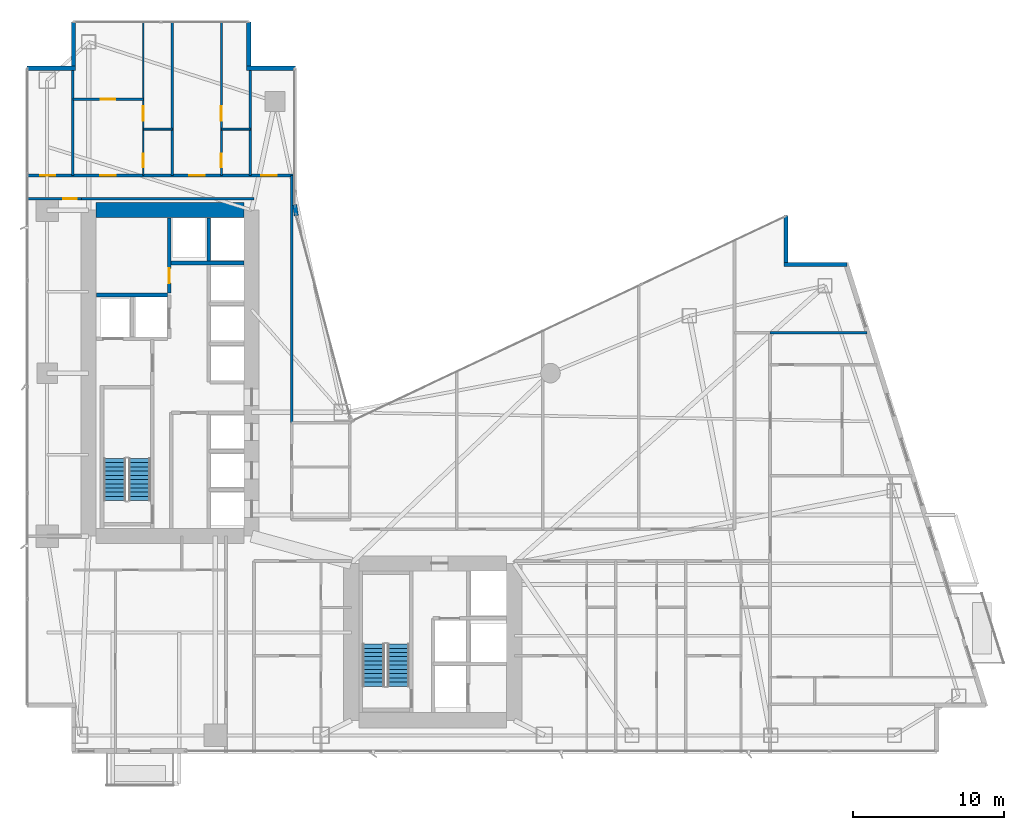
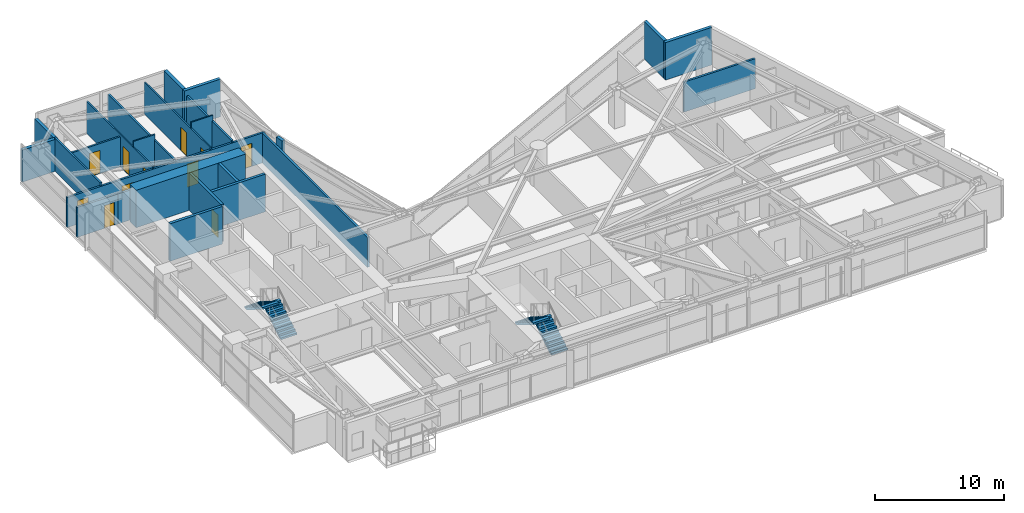
# One storey, part 25 of 30: 25 walls, 11 doors, 4 stair flights, 11 openings, 2 elements without a shape of their own.
"""IFC4 building model written with IfcOpenShell, lengths in metres."""

import ifcopenshell
import ifcopenshell.guid

model = None  # the IFC model being written
_history = None  # IfcOwnerHistory: only IFC2X3 demands one
_inside = {}  # id of a spatial element -> (the spatial element, [elements in it])
_under = {}  # id of a project, library or spatial element -> (it, [spatial elements below it])
_declared = {}  # id of a project -> (the project, [libraries it declares])
_typed = {}  # id of a type object -> (the type object, [elements of that type])
_made_of = {}  # id of a material, layer set ... -> (it, [elements and type objects made of it])


def new_model(schema):
    """Start an empty IFC model of exactly this schema.

    Asked for "IFC4X3", IfcOpenShell would pick the latest addendum, in which some entities
    have other attributes; the version numbers below select the first issue.
    IFC2X3 requires an IfcOwnerHistory on every rooted entity: one is made here for all.
    """
    global model, _history
    if schema == "IFC4X3":
        model = ifcopenshell.file(schema_version=(4, 3, 0, 0))
    else:
        model = ifcopenshell.file(schema=schema)
    _inside.clear()
    _under.clear()
    _declared.clear()
    _typed.clear()
    _made_of.clear()
    _history = None
    if model.schema == "IFC2X3":
        org = make("IfcOrganization", Name="unknown")
        user = make(
            "IfcPersonAndOrganization",
            ThePerson=make("IfcPerson", FamilyName="unknown"),
            TheOrganization=org,
        )
        app = make(
            "IfcApplication",
            ApplicationDeveloper=org,
            Version="unknown",
            ApplicationFullName="unknown",
            ApplicationIdentifier="unknown",
        )
        _history = make(
            "IfcOwnerHistory",
            OwningUser=user,
            OwningApplication=app,
            ChangeAction="ADDED",
            CreationDate=0,
        )
    return model


def make(cls, **values):
    """One entity of the class cls with the attributes given. An attribute that is None is left unset."""
    return model.create_entity(
        cls, **{name: value for name, value in values.items() if value is not None}
    )


def rooted(cls, **values):
    """An entity with a GlobalId (a new one), such as an element, a storey or a relation."""
    return make(cls, GlobalId=ifcopenshell.guid.new(), OwnerHistory=_history, **values)


def si_unit(unit_type, name, prefix=None):
    """IfcSIUnit, for example si_unit("LENGTHUNIT", "METRE", prefix="MILLI")."""
    return make("IfcSIUnit", UnitType=unit_type, Prefix=prefix, Name=name)


def assignment(units):
    """IfcUnitAssignment: the units of a project."""
    return None if units is None else make("IfcUnitAssignment", Units=units)


def point(xyz):
    """IfcCartesianPoint."""
    return None if xyz is None else make("IfcCartesianPoint", Coordinates=xyz)


def direction(xyz):
    """IfcDirection."""
    return None if xyz is None else make("IfcDirection", DirectionRatios=xyz)


def frame(location, z_axis=None, x_axis=None):
    """IfcAxis2Placement3D, a coordinate frame: its origin and axes. An axis left out is left unset."""
    return make(
        "IfcAxis2Placement3D",
        Location=point(location),
        Axis=direction(z_axis),
        RefDirection=direction(x_axis),
    )


def frame_2d(location, x_axis=None):
    """IfcAxis2Placement2D, a coordinate frame in the plane: its origin and x axis."""
    return make(
        "IfcAxis2Placement2D", Location=point(location), RefDirection=direction(x_axis)
    )


def origin():
    """The frame at (0, 0, 0) with its axes left unset."""
    return frame((0.0, 0.0, 0.0))


def place(relative_to, where):
    """IfcLocalPlacement: puts the frame where relative to a parent placement (None: the world)."""
    return make(
        "IfcLocalPlacement", PlacementRelTo=relative_to, RelativePlacement=where
    )


def context(
    kind, dimensions, precision=None, world=None, true_north=None, identifier=None
):
    """IfcGeometricRepresentationContext, for example the 3D "Model" context."""
    return make(
        "IfcGeometricRepresentationContext",
        ContextIdentifier=identifier,
        ContextType=kind,
        CoordinateSpaceDimension=dimensions,
        Precision=precision,
        WorldCoordinateSystem=world,
        TrueNorth=true_north,
    )


def subcontext(parent, identifier, kind, view, scale=None):
    """IfcGeometricRepresentationSubContext, for example "Body" below "Model"."""
    return make(
        "IfcGeometricRepresentationSubContext",
        ContextIdentifier=identifier,
        ContextType=kind,
        ParentContext=parent,
        TargetScale=scale,
        TargetView=view,
    )


def project(units=None, contexts=None):
    """IfcProject with its units and contexts."""
    return rooted(
        "IfcProject",
        Name="project",
        RepresentationContexts=contexts,
        UnitsInContext=assignment(units),
    )


def spatial(cls, under=None, at=None, **own):
    """A site, building, storey or space (cls), placed at a placement, below another one or the project."""
    s = rooted(cls, ObjectPlacement=at, **own)
    if under is not None:
        _under.setdefault(under.id(), (under, []))[1].append(s)
    return s


def polyline(points):
    """IfcPolyline through the points."""
    return make("IfcPolyline", Points=[point(p) for p in points])


def profile(cls, at=None, kind="AREA", **sizes):
    """A parametric profile (cls). Its sizes go by their IFC names, for example OverallWidth=200.0."""
    return make(cls, ProfileType=kind, Position=at, **sizes)


def rectangle(**sizes):
    """IfcRectangleProfileDef."""
    return profile("IfcRectangleProfileDef", **sizes)


def outline(outer, holes=None, kind="AREA"):
    """IfcArbitraryClosedProfileDef: a profile drawn as a closed curve; with holes, ...WithVoids."""
    if holes is None:
        return make("IfcArbitraryClosedProfileDef", ProfileType=kind, OuterCurve=outer)
    return make(
        "IfcArbitraryProfileDefWithVoids",
        ProfileType=kind,
        OuterCurve=outer,
        InnerCurves=holes,
    )


def extrude(swept, where, along, depth):
    """IfcExtrudedAreaSolid: the profile swept, set in the frame where, extruded along a direction by depth."""
    return make(
        "IfcExtrudedAreaSolid",
        SweptArea=swept,
        Position=where,
        ExtrudedDirection=direction(along),
        Depth=depth,
    )


def shape(context_of_items, identifier, shape_type, items):
    """IfcShapeRepresentation: the items that make up one representation, for example the "Body"."""
    return make(
        "IfcShapeRepresentation",
        ContextOfItems=context_of_items,
        RepresentationIdentifier=identifier,
        RepresentationType=shape_type,
        Items=items,
    )


def material(Name=None, Category=None):
    """IfcMaterial."""
    return make("IfcMaterial", Name=Name, Category=Category)


def layer(
    of_material, thickness, ventilated=None, Name=None, Category=None, Priority=None
):
    """IfcMaterialLayer: one layer of a wall or slab, of a material (None: an air gap)."""
    return make(
        "IfcMaterialLayer",
        Material=of_material,
        LayerThickness=thickness,
        IsVentilated=ventilated,
        Name=Name,
        Category=Category,
        Priority=Priority,
    )


def layer_set(layers, Name=None):
    """IfcMaterialLayerSet."""
    return make("IfcMaterialLayerSet", MaterialLayers=layers, LayerSetName=Name)


def made_of(thing, what):
    """Note that an element or type object is made of a material, layer set ...; save() writes the relation."""
    if what is not None:
        _made_of.setdefault(what.id(), (what, []))[1].append(thing)
    return thing


def type_object(cls, material=None, **own):
    """A type object (cls), such as IfcWallType, which elements share."""
    return made_of(rooted(cls, **own), material)


def element(
    cls,
    number,
    at=None,
    inside=None,
    cuts=None,
    type_object=None,
    material=None,
    context=None,
    identifier="Body",
    shape_type=None,
    held_by="IfcProductDefinitionShape",
    body=None,
    shapes=None,
    **own,
):
    """One element of the class cls, such as IfcWall. Its Tag is "e" and its number.

    at: its placement. inside: the storey or other place that contains it. cuts: it is an
    opening in that element (IfcRelVoidsElement). A single representation is given by context,
    identifier, shape_type and body (its items); several are given by shapes. held_by: the class
    of the entity that holds the representations. save() writes the other relations.
    """
    e = rooted(cls, Tag="e%d" % number, ObjectPlacement=at, **own)
    if body is not None:
        shapes = [shape(context, identifier, shape_type, body)]
    if shapes is not None:
        e.Representation = make(held_by, Representations=shapes)
    if inside is not None:
        _inside.setdefault(inside.id(), (inside, []))[1].append(e)
    if cuts is not None:
        rooted(
            "IfcRelVoidsElement", RelatingBuildingElement=cuts, RelatedOpeningElement=e
        )
    if type_object is not None:
        _typed.setdefault(type_object.id(), (type_object, []))[1].append(e)
    return made_of(e, material)


def fill(opening, filler):
    """IfcRelFillsElement: the door or window that sits in an opening."""
    return rooted(
        "IfcRelFillsElement",
        RelatingOpeningElement=opening,
        RelatedBuildingElement=filler,
    )


def aggregate(whole, parts):
    """IfcRelAggregates: a whole, such as a stair, and the parts it consists of."""
    return rooted("IfcRelAggregates", RelatingObject=whole, RelatedObjects=parts)


def save(model, path):
    """Write the relations noted so far, then the file.

    IfcRelAggregates (storeys below a building ...), IfcRelContainedInSpatialStructure (elements
    in a storey), IfcRelDefinesByType, IfcRelAssociatesMaterial and IfcRelDeclares: one each for
    every whole, place, type object, material and project.
    """
    for whole, parts in _under.values():
        aggregate(whole, parts)
    for where, things in _inside.values():
        rooted(
            "IfcRelContainedInSpatialStructure",
            RelatedElements=things,
            RelatingStructure=where,
        )
    for kind, things in _typed.values():
        rooted("IfcRelDefinesByType", RelatedObjects=things, RelatingType=kind)
    for what, things in _made_of.values():
        rooted("IfcRelAssociatesMaterial", RelatedObjects=things, RelatingMaterial=what)
    for by, libraries in _declared.values():
        rooted("IfcRelDeclares", RelatingContext=by, RelatedDefinitions=libraries)
    model.write(path)


model = new_model("IFC4")

# Units and contexts
model_context = context("Model", 3, precision=1e-05, world=origin(), true_north=direction((0.0, 1.0)))
body_context = subcontext(model_context, "Body", "Model", "MODEL_VIEW")
ifc_project = project(units=[si_unit("LENGTHUNIT", "METRE"), si_unit("AREAUNIT", "SQUARE_METRE"), si_unit("VOLUMEUNIT", "CUBIC_METRE"), si_unit("PLANEANGLEUNIT", "RADIAN"), si_unit("MASSUNIT", "GRAM", prefix="KILO")], contexts=[model_context])

# Site, building, storey
site_placement = place(None, origin())
site = spatial("IfcSite", under=ifc_project, at=site_placement, CompositionType="ELEMENT")
building_placement = place(site_placement, origin())
building = spatial("IfcBuilding", under=site, at=building_placement, Name="Calvorn Quay Hotel", CompositionType="ELEMENT")
storey_placement = place(building_placement, frame((0.0, 0.0, 54.60009765625)))
storey = spatial("IfcBuildingStorey", under=building, at=storey_placement, Name="L12", CompositionType="ELEMENT", Elevation=54.60009765625)

# Wall
ifc_material_1 = material(Name="Concrete C60", Category="concrete")
ifc_layer_1 = layer(ifc_material_1, 1.0)
ifc_layer_set_1 = layer_set([ifc_layer_1], Name="WL-CORE-1000")
wall_type_1 = type_object("IfcWallType", Name="WL-CORE-1000", PredefinedType="SHEAR", material=ifc_layer_set_1)
wall_1_placement = place(storey_placement, frame((4.699951171875, 38.39990234375, 0.0), z_axis=(0.0, 0.0, 1.0), x_axis=(1.0, 0.0, 0.0)))
element("IfcWall", 1, at=wall_1_placement, inside=storey, type_object=wall_type_1, Name="West Core Shear Wall N (L12)", PredefinedType="SHEAR", context=body_context, shape_type="SweptSolid", body=[
    extrude(rectangle(XDim=9.800048828125, YDim=1.0, at=frame_2d((4.89990234375, 0.0))), origin(), (0.0, 0.0, 1.0), 3.559814453125),
])

# Wall, opening, door
ifc_material_2 = material(Name="Acoustic Fireboard Steel-Stud Partition", Category="steel")
ifc_layer_2 = layer(ifc_material_2, 0.179931640625)
ifc_layer_set_2 = layer_set([ifc_layer_2], Name="WL-CORR-FIRE-180")
wall_type_2 = type_object("IfcWallType", Name="WL-CORR-FIRE-180", PredefinedType="PARTITIONING", material=ifc_layer_set_2)
wall_2_placement = place(storey_placement, frame((0.080078125, 39.14990234375, 0.0), z_axis=(0.0, 0.0, 1.0), x_axis=(1.0, 0.0, 0.0)))
wall_2 = element("IfcWall", 2, at=wall_2_placement, inside=storey, type_object=wall_type_2, Name="Partition Wall L12-WL-WBAY-N-DOOR", PredefinedType="PARTITIONING", context=body_context, shape_type="SweptSolid", body=[
    extrude(rectangle(XDim=3.64990234375, YDim=0.179931640625, at=frame_2d((1.824951171875, 0.0))), origin(), (0.0, 0.0, 1.0), 2.83984375),
])
opening_1_placement = place(wall_2_placement, frame((2.429931640625, 0.0, 0.0)))
opening_1 = element("IfcOpeningElement", 3, at=opening_1_placement, cuts=wall_2, Name="Opening D-L12-WBN", PredefinedType="OPENING", context=body_context, shape_type="SweptSolid", body=[
    extrude(rectangle(XDim=0.89990234375, YDim=2.14990234375, at=frame_2d((0.449951171875, 1.074951171875))), frame((0.0, 0.099853515625, 0.0), z_axis=(0.0, -1.0, 0.0), x_axis=(1.0, 0.0, 0.0)), (0.0, 0.0, 1.0), 0.199951171875),
])
ifc_material_3 = material(Name="Moisture-Sealed Timber En-Suite Door", Category="wood")
door_type_1 = type_object("IfcDoorType", Name="DR-ENSUITE-900", OperationType="NOTDEFINED", PredefinedType="DOOR", material=ifc_material_3)
door_1_placement = place(opening_1_placement, origin())
door_1 = element("IfcDoor", 4, at=door_1_placement, inside=storey, type_object=door_type_1, Name="West North Bay Door (L12)", OperationType="SINGLE_SWING_LEFT", OverallHeight=2.14990234375, OverallWidth=0.89990234375, PredefinedType="DOOR", context=body_context, shape_type="SweptSolid", body=[
    extrude(rectangle(XDim=0.89990234375, YDim=2.14990234375, at=frame_2d((0.449951171875, 1.074951171875))), frame((0.0, 0.02490234375, 0.0), z_axis=(0.0, -1.0, 0.0), x_axis=(1.0, 0.0, 0.0)), (0.0, 0.0, 1.0), 0.050048828125),
])
fill(opening_1, door_1)

# Wall, openings, doors
wall_3_placement = place(storey_placement, frame((0.080078125, 40.699951171875, 0.0), z_axis=(0.0, 0.0, 1.0), x_axis=(1.0, 0.0, 0.0)))
wall_3 = element("IfcWall", 5, at=wall_3_placement, inside=storey, type_object=wall_type_2, Name="Partition Wall L12-WL-CORR-NW-N", PredefinedType="PARTITIONING", context=body_context, shape_type="SweptSolid", body=[
    extrude(rectangle(XDim=17.77001953125, YDim=0.179931640625, at=frame_2d((8.885009765625, 0.0))), origin(), (0.0, 0.0, 1.0), 2.83984375),
])
opening_2_placement = place(wall_3_placement, frame((0.89990234375, 0.0, 0.0)))
opening_2 = element("IfcOpeningElement", 6, at=opening_2_placement, cuts=wall_3, Name="Opening D-L12-NWW", PredefinedType="OPENING", context=body_context, shape_type="SweptSolid", body=[
    extrude(rectangle(XDim=1.02001953125, YDim=2.199951171875, at=frame_2d((0.510009765625, 1.10009765625))), frame((0.0, 0.099853515625, 0.0), z_axis=(0.0, -1.0, 0.0), x_axis=(1.0, 0.0, 0.0)), (0.0, 0.0, 1.0), 0.199951171875),
])
opening_3_placement = place(wall_3_placement, frame((4.89990234375, 0.0, 0.0)))
opening_3 = element("IfcOpeningElement", 7, at=opening_3_placement, cuts=wall_3, Name="Opening D-L12-U03", PredefinedType="OPENING", context=body_context, shape_type="SweptSolid", body=[
    extrude(rectangle(XDim=1.02001953125, YDim=2.199951171875, at=frame_2d((0.510009765625, 1.10009765625))), frame((0.0, 0.099853515625, 0.0), z_axis=(0.0, -1.0, 0.0), x_axis=(1.0, 0.0, 0.0)), (0.0, 0.0, 1.0), 0.199951171875),
])
opening_4_placement = place(wall_3_placement, frame((10.780029296875, 0.0, 0.0)))
opening_4 = element("IfcOpeningElement", 8, at=opening_4_placement, cuts=wall_3, Name="Opening D-L12-U04", PredefinedType="OPENING", context=body_context, shape_type="SweptSolid", body=[
    extrude(rectangle(XDim=1.02001953125, YDim=2.199951171875, at=frame_2d((0.510009765625, 1.10009765625))), frame((0.0, 0.099853515625, 0.0), z_axis=(0.0, -1.0, 0.0), x_axis=(1.0, 0.0, 0.0)), (0.0, 0.0, 1.0), 0.199951171875),
])
opening_5_placement = place(wall_3_placement, frame((15.550048828125, 0.0, 0.0)))
opening_5 = element("IfcOpeningElement", 9, at=opening_5_placement, cuts=wall_3, Name="Opening D-L12-NWE", PredefinedType="OPENING", context=body_context, shape_type="SweptSolid", body=[
    extrude(rectangle(XDim=1.02001953125, YDim=2.199951171875, at=frame_2d((0.510009765625, 1.10009765625))), frame((0.0, 0.099853515625, 0.0), z_axis=(0.0, -1.0, 0.0), x_axis=(1.0, 0.0, 0.0)), (0.0, 0.0, 1.0), 0.199951171875),
])
ifc_material_4 = material(Name="Solid-Core Walnut Veneer Hotel Fire Door")
door_type_2 = type_object("IfcDoorType", Name="DR-GUEST-ENTRY-1020", OperationType="NOTDEFINED", PredefinedType="DOOR", material=ifc_material_4)
door_2_placement = place(opening_2_placement, origin())
door_2 = element("IfcDoor", 10, at=door_2_placement, inside=storey, type_object=door_type_2, Name="West Corner Study Door (L12)", OperationType="SINGLE_SWING_LEFT", OverallHeight=2.199951171875, OverallWidth=1.02001953125, PredefinedType="DOOR", context=body_context, shape_type="SweptSolid", body=[
    extrude(rectangle(XDim=1.02001953125, YDim=2.199951171875, at=frame_2d((0.510009765625, 1.10009765625))), frame((0.0, 0.02490234375, 0.0), z_axis=(0.0, -1.0, 0.0), x_axis=(1.0, 0.0, 0.0)), (0.0, 0.0, 1.0), 0.050048828125),
])
fill(opening_2, door_2)
door_3_placement = place(opening_3_placement, origin())
door_3 = element("IfcDoor", 11, at=door_3_placement, inside=storey, type_object=door_type_2, Name="North-West Unit Door U03 (L12)", OperationType="SINGLE_SWING_RIGHT", OverallHeight=2.199951171875, OverallWidth=1.02001953125, PredefinedType="DOOR", context=body_context, shape_type="SweptSolid", body=[
    extrude(rectangle(XDim=1.02001953125, YDim=2.199951171875, at=frame_2d((0.510009765625, 1.10009765625))), frame((0.0, 0.02490234375, 0.0), z_axis=(0.0, -1.0, 0.0), x_axis=(1.0, 0.0, 0.0)), (0.0, 0.0, 1.0), 0.050048828125),
])
fill(opening_3, door_3)
door_4_placement = place(opening_4_placement, origin())
door_4 = element("IfcDoor", 12, at=door_4_placement, inside=storey, type_object=door_type_2, Name="North-West Unit Door U04 (L12)", OperationType="SINGLE_SWING_LEFT", OverallHeight=2.199951171875, OverallWidth=1.02001953125, PredefinedType="DOOR", context=body_context, shape_type="SweptSolid", body=[
    extrude(rectangle(XDim=1.02001953125, YDim=2.199951171875, at=frame_2d((0.510009765625, 1.10009765625))), frame((0.0, 0.02490234375, 0.0), z_axis=(0.0, -1.0, 0.0), x_axis=(1.0, 0.0, 0.0)), (0.0, 0.0, 1.0), 0.050048828125),
])
fill(opening_4, door_4)
door_5_placement = place(opening_5_placement, origin())
door_5 = element("IfcDoor", 13, at=door_5_placement, inside=storey, type_object=door_type_2, Name="Inner Court Study Door (L12)", OperationType="SINGLE_SWING_RIGHT", OverallHeight=2.199951171875, OverallWidth=1.02001953125, PredefinedType="DOOR", context=body_context, shape_type="SweptSolid", body=[
    extrude(rectangle(XDim=1.02001953125, YDim=2.199951171875, at=frame_2d((0.510009765625, 1.10009765625))), frame((0.0, 0.02490234375, 0.0), z_axis=(0.0, -1.0, 0.0), x_axis=(1.0, 0.0, 0.0)), (0.0, 0.0, 1.0), 0.050048828125),
])
fill(opening_5, door_5)

# Walls
wall_4_placement = place(storey_placement, frame((17.64990234375, 24.300048828125, 0.0), z_axis=(0.0, 0.0, 1.0), x_axis=(0.0, 1.0, 0.0)))
element("IfcWall", 14, at=wall_4_placement, inside=storey, type_object=wall_type_2, Name="Partition Wall L12-WL-NW-CLOSURE-E", PredefinedType="PARTITIONING", context=body_context, shape_type="SweptSolid", body=[
    extrude(rectangle(XDim=16.39990234375, YDim=0.179931640625, at=frame_2d((8.199951171875, 0.0))), origin(), (0.0, 0.0, 1.0), 2.83984375),
])
wall_5_placement = place(storey_placement, frame((3.679931640625, 39.14990234375, 0.0), z_axis=(0.0, 0.0, 1.0), x_axis=(1.0, 0.0, 0.0)))
element("IfcWall", 15, at=wall_5_placement, inside=storey, type_object=wall_type_2, Name="Partition Wall L12-WL-W-SPUR-S", PredefinedType="PARTITIONING", context=body_context, shape_type="SweptSolid", body=[
    extrude(rectangle(XDim=11.469970703125, YDim=0.179931640625, at=frame_2d((5.73486328125, 0.0))), origin(), (0.0, 0.0, 1.0), 2.83984375),
])
wall_6_placement = place(storey_placement, frame((49.35009765625, 30.280029296875, 0.0), z_axis=(0.0, 0.0, 1.0), x_axis=(1.0, 0.0, 0.0)))
element("IfcWall", 16, at=wall_6_placement, inside=storey, type_object=wall_type_2, Name="Partition Wall L12-WL-TIP-N", PredefinedType="PARTITIONING", context=body_context, shape_type="SweptSolid", body=[
    extrude(rectangle(XDim=6.409912109375, YDim=0.179931640625, at=frame_2d((3.205078125, 0.0))), origin(), (0.0, 0.0, 1.0), 2.83984375),
])
ifc_material_5 = material(Name="Moisture-Resistant Tile-Backed Partition")
ifc_layer_3 = layer(ifc_material_5, 0.125)
ifc_layer_set_3 = layer_set([ifc_layer_3], Name="WL-ENSUITE-125")
wall_type_3 = type_object("IfcWallType", Name="WL-ENSUITE-125", PredefinedType="PARTITIONING", material=ifc_layer_set_3)
wall_7_placement = place(storey_placement, frame((7.820068359375, 43.77001953125, 0.0), z_axis=(0.0, 0.0, 1.0), x_axis=(1.0, 0.0, 0.0)))
element("IfcWall", 17, at=wall_7_placement, inside=storey, type_object=wall_type_3, Name="Partition Wall L12-WL-U03-BDV", PredefinedType="PARTITIONING", context=body_context, shape_type="SweptSolid", body=[
    extrude(rectangle(XDim=1.929931640625, YDim=0.125, at=frame_2d((0.96484375, 0.0))), origin(), (0.0, 0.0, 1.0), 3.559814453125),
])

# Wall, openings, doors
wall_8_placement = place(storey_placement, frame((7.820068359375, 40.699951171875, 0.0), z_axis=(0.0, 0.0, 1.0), x_axis=(0.0, 1.0, 0.0)))
wall_8 = element("IfcWall", 18, at=wall_8_placement, inside=storey, type_object=wall_type_3, Name="Partition Wall L12-WL-U03-BV", PredefinedType="PARTITIONING", context=body_context, shape_type="SweptSolid", body=[
    extrude(rectangle(XDim=10.239990234375, YDim=0.125, at=frame_2d((5.1201171875, 0.0))), origin(), (0.0, 0.0, 1.0), 3.039794921875),
])
opening_6_placement = place(wall_8_placement, frame((0.550048828125, 0.0, 0.0)))
opening_6 = element("IfcOpeningElement", 19, at=opening_6_placement, cuts=wall_8, Name="Opening D-L12-E03", PredefinedType="OPENING", context=body_context, shape_type="SweptSolid", body=[
    extrude(rectangle(XDim=0.89990234375, YDim=2.14990234375, at=frame_2d((0.449951171875, 1.074951171875))), frame((0.0, 0.072509765625, 0.0), z_axis=(0.0, -1.0, 0.0), x_axis=(1.0, 0.0, 0.0)), (0.0, 0.0, 1.0), 0.14501953125),
])
opening_7_placement = place(wall_8_placement, frame((3.6201171875, 0.0, 0.0)))
opening_7 = element("IfcOpeningElement", 20, at=opening_7_placement, cuts=wall_8, Name="Opening D-L12-S03", PredefinedType="OPENING", context=body_context, shape_type="SweptSolid", body=[
    extrude(rectangle(XDim=0.9599609375, YDim=2.199951171875, at=frame_2d((0.47998046875, 1.10009765625))), frame((0.0, 0.072509765625, 0.0), z_axis=(0.0, -1.0, 0.0), x_axis=(1.0, 0.0, 0.0)), (0.0, 0.0, 1.0), 0.14501953125),
])
door_6_placement = place(opening_6_placement, origin())
door_6 = element("IfcDoor", 21, at=door_6_placement, inside=storey, type_object=door_type_1, Name="En-Suite Door 03", OperationType="SINGLE_SWING_LEFT", OverallHeight=2.14990234375, OverallWidth=0.89990234375, PredefinedType="DOOR", context=body_context, shape_type="SweptSolid", body=[
    extrude(rectangle(XDim=0.89990234375, YDim=2.14990234375, at=frame_2d((0.449951171875, 1.074951171875))), frame((0.0, 0.02490234375, 0.0), z_axis=(0.0, -1.0, 0.0), x_axis=(1.0, 0.0, 0.0)), (0.0, 0.0, 1.0), 0.050048828125),
])
fill(opening_6, door_6)
ifc_material_6 = material(Name="Solid Timber Internal Suite Door", Category="wood")
door_type_3 = type_object("IfcDoorType", Name="DR-SUITE-INT-960", OperationType="NOTDEFINED", PredefinedType="DOOR", material=ifc_material_6)
door_7_placement = place(opening_7_placement, origin())
door_7 = element("IfcDoor", 22, at=door_7_placement, inside=storey, type_object=door_type_3, Name="Executive Work Office Door 03", OperationType="SINGLE_SWING_RIGHT", OverallHeight=2.199951171875, OverallWidth=0.9599609375, PredefinedType="DOOR", context=body_context, shape_type="SweptSolid", body=[
    extrude(rectangle(XDim=0.9599609375, YDim=2.199951171875, at=frame_2d((0.47998046875, 1.10009765625))), frame((0.0, 0.02490234375, 0.0), z_axis=(0.0, -1.0, 0.0), x_axis=(1.0, 0.0, 0.0)), (0.0, 0.0, 1.0), 0.050048828125),
])
fill(opening_7, door_7)

# Wall
wall_9_placement = place(storey_placement, frame((12.989990234375, 43.77001953125, 0.0), z_axis=(0.0, 0.0, 1.0), x_axis=(1.0, 0.0, 0.0)))
element("IfcWall", 23, at=wall_9_placement, inside=storey, type_object=wall_type_3, Name="Partition Wall L12-WL-U04-BDV", PredefinedType="PARTITIONING", context=body_context, shape_type="SweptSolid", body=[
    extrude(rectangle(XDim=1.929931640625, YDim=0.125, at=frame_2d((0.96484375, 0.0))), origin(), (0.0, 0.0, 1.0), 3.559814453125),
])

# Wall, openings, doors
wall_10_placement = place(storey_placement, frame((12.989990234375, 40.699951171875, 0.0), z_axis=(0.0, 0.0, 1.0), x_axis=(0.0, 1.0, 0.0)))
wall_10 = element("IfcWall", 24, at=wall_10_placement, inside=storey, type_object=wall_type_3, Name="Partition Wall L12-WL-U04-BV", PredefinedType="PARTITIONING", context=body_context, shape_type="SweptSolid", body=[
    extrude(rectangle(XDim=10.239990234375, YDim=0.125, at=frame_2d((5.1201171875, 0.0))), origin(), (0.0, 0.0, 1.0), 3.039794921875),
])
opening_8_placement = place(wall_10_placement, frame((0.550048828125, 0.0, 0.0)))
opening_8 = element("IfcOpeningElement", 25, at=opening_8_placement, cuts=wall_10, Name="Opening D-L12-E04", PredefinedType="OPENING", context=body_context, shape_type="SweptSolid", body=[
    extrude(rectangle(XDim=0.89990234375, YDim=2.14990234375, at=frame_2d((0.449951171875, 1.074951171875))), frame((0.0, 0.072509765625, 0.0), z_axis=(0.0, -1.0, 0.0), x_axis=(1.0, 0.0, 0.0)), (0.0, 0.0, 1.0), 0.14501953125),
])
opening_9_placement = place(wall_10_placement, frame((3.6201171875, 0.0, 0.0)))
opening_9 = element("IfcOpeningElement", 26, at=opening_9_placement, cuts=wall_10, Name="Opening D-L12-S04", PredefinedType="OPENING", context=body_context, shape_type="SweptSolid", body=[
    extrude(rectangle(XDim=0.9599609375, YDim=2.199951171875, at=frame_2d((0.47998046875, 1.10009765625))), frame((0.0, 0.072509765625, 0.0), z_axis=(0.0, -1.0, 0.0), x_axis=(1.0, 0.0, 0.0)), (0.0, 0.0, 1.0), 0.14501953125),
])
door_8_placement = place(opening_8_placement, origin())
door_8 = element("IfcDoor", 27, at=door_8_placement, inside=storey, type_object=door_type_1, Name="En-Suite Door 04", OperationType="SINGLE_SWING_LEFT", OverallHeight=2.14990234375, OverallWidth=0.89990234375, PredefinedType="DOOR", context=body_context, shape_type="SweptSolid", body=[
    extrude(rectangle(XDim=0.89990234375, YDim=2.14990234375, at=frame_2d((0.449951171875, 1.074951171875))), frame((0.0, 0.02490234375, 0.0), z_axis=(0.0, -1.0, 0.0), x_axis=(1.0, 0.0, 0.0)), (0.0, 0.0, 1.0), 0.050048828125),
])
fill(opening_8, door_8)
door_9_placement = place(opening_9_placement, origin())
door_9 = element("IfcDoor", 28, at=door_9_placement, inside=storey, type_object=door_type_3, Name="Executive Work Office Door 04", OperationType="SINGLE_SWING_RIGHT", OverallHeight=2.199951171875, OverallWidth=0.9599609375, PredefinedType="DOOR", context=body_context, shape_type="SweptSolid", body=[
    extrude(rectangle(XDim=0.9599609375, YDim=2.199951171875, at=frame_2d((0.47998046875, 1.10009765625))), frame((0.0, 0.02490234375, 0.0), z_axis=(0.0, -1.0, 0.0), x_axis=(1.0, 0.0, 0.0)), (0.0, 0.0, 1.0), 0.050048828125),
])
fill(opening_9, door_9)

# Walls
ifc_material_7 = material(Name="Concrete C40", Category="concrete")
ifc_layer_4 = layer(ifc_material_7, 0.320068359375)
ifc_layer_set_4 = layer_set([ifc_layer_4], Name="WL-EXT-SPANDREL-320")
wall_type_4 = type_object("IfcWallType", Name="WL-EXT-SPANDREL-320", PredefinedType="SOLIDWALL", material=ifc_layer_set_4)
wall_11_placement = place(storey_placement, frame((17.9619140625, 38.030029296875, 0.0), z_axis=(0.0, 0.0, 1.0), x_axis=(-0.15141125477, 0.988470855377, 0.0)))
element("IfcWall", 29, at=wall_11_placement, inside=storey, type_object=wall_type_4, Name="Inner Court Corner Pier L12-ICJ2", PredefinedType="SOLIDWALL", context=body_context, shape_type="SweptSolid", body=[
    extrude(rectangle(XDim=0.738525390625, YDim=0.280029296875, at=frame_2d((0.369140625, 0.0))), origin(), (0.0, 0.0, 1.0), 3.559814453125),
])
wall_12_placement = place(storey_placement, frame((54.43994140625, 34.800048828125, 0.0), z_axis=(0.0, 0.0, 1.0), x_axis=(-1.0, 0.0, 0.0)))
element("IfcWall", 30, at=wall_12_placement, inside=storey, type_object=wall_type_4, Name="Notched Corner Spandrel L12-NE1", PredefinedType="SOLIDWALL", context=body_context, shape_type="SweptSolid", body=[
    extrude(rectangle(XDim=4.179931640625, YDim=0.280029296875, at=frame_2d((2.08984375, 0.0))), origin(), (0.0, 0.0, 1.0), 3.559814453125),
])
wall_13_placement = place(storey_placement, frame((50.39990234375, 34.93994140625, 0.0), z_axis=(0.0, 0.0, 1.0), x_axis=(0.0, 1.0, 0.0)))
element("IfcWall", 31, at=wall_13_placement, inside=storey, type_object=wall_type_4, Name="Notched Corner Spandrel L12-NE2", PredefinedType="SOLIDWALL", context=body_context, shape_type="SweptSolid", body=[
    extrude(rectangle(XDim=3.10009765625, YDim=0.280029296875, at=frame_2d((1.550048828125, 0.0))), origin(), (0.0, 0.0, 1.0), 3.559814453125),
])
wall_14_placement = place(storey_placement, frame((17.89990234375, 47.800048828125, 0.0), z_axis=(0.0, 0.0, 1.0), x_axis=(-1.0, 0.0, 0.0)))
element("IfcWall", 32, at=wall_14_placement, inside=storey, type_object=wall_type_4, Name="Notched Corner Spandrel L12-NWE1", PredefinedType="SOLIDWALL", context=body_context, shape_type="SweptSolid", body=[
    extrude(rectangle(XDim=3.239990234375, YDim=0.280029296875, at=frame_2d((1.6201171875, 0.0))), origin(), (0.0, 0.0, 1.0), 3.559814453125),
])
wall_15_placement = place(storey_placement, frame((14.800048828125, 47.93994140625, 0.0), z_axis=(0.0, 0.0, 1.0), x_axis=(0.0, 1.0, 0.0)))
element("IfcWall", 33, at=wall_15_placement, inside=storey, type_object=wall_type_4, Name="Notched Corner Spandrel L12-NWE2", PredefinedType="SOLIDWALL", context=body_context, shape_type="SweptSolid", body=[
    extrude(rectangle(XDim=2.93994140625, YDim=0.280029296875, at=frame_2d((1.469970703125, 0.0))), origin(), (0.0, 0.0, 1.0), 3.559814453125),
])
wall_16_placement = place(storey_placement, frame((3.199951171875, 50.8798828125, 0.0), z_axis=(0.0, 0.0, 1.0), x_axis=(0.0, -1.0, 0.0)))
element("IfcWall", 34, at=wall_16_placement, inside=storey, type_object=wall_type_4, Name="Notched Corner Spandrel L12-NW1", PredefinedType="SOLIDWALL", context=body_context, shape_type="SweptSolid", body=[
    extrude(rectangle(XDim=2.93994140625, YDim=0.280029296875, at=frame_2d((1.469970703125, 0.0))), origin(), (0.0, 0.0, 1.0), 3.039794921875),
])
wall_17_placement = place(storey_placement, frame((3.340087890625, 47.800048828125, 0.0), z_axis=(0.0, 0.0, 1.0), x_axis=(-1.0, 0.0, 0.0)))
element("IfcWall", 35, at=wall_17_placement, inside=storey, type_object=wall_type_4, Name="Notched Corner Spandrel L12-NW2", PredefinedType="SOLIDWALL", context=body_context, shape_type="SweptSolid", body=[
    extrude(rectangle(XDim=3.219970703125, YDim=0.280029296875, at=frame_2d((1.60986328125, 0.0))), origin(), (0.0, 0.0, 1.0), 3.039794921875),
])
ifc_material_8 = material(Name="Double-Stud Acoustic Gypsum Partition")
ifc_layer_5 = layer(ifc_material_8, 0.159912109375)
ifc_layer_set_5 = layer_set([ifc_layer_5], Name="WL-INTERSUITE-160")
wall_type_5 = type_object("IfcWallType", Name="WL-INTERSUITE-160", PredefinedType="PARTITIONING", material=ifc_layer_set_5)
wall_18_placement = place(storey_placement, frame((3.14990234375, 40.699951171875, 0.0), z_axis=(0.0, 0.0, 1.0), x_axis=(0.0, 1.0, 0.0)))
element("IfcWall", 36, at=wall_18_placement, inside=storey, type_object=wall_type_5, Name="Partition Wall L12-WL-NW-DIV-W0", PredefinedType="PARTITIONING", context=body_context, shape_type="SweptSolid", body=[
    extrude(rectangle(XDim=7.10009765625, YDim=0.159912109375, at=frame_2d((3.550048828125, 0.0))), origin(), (0.0, 0.0, 1.0), 3.139892578125),
])
wall_19_placement = place(storey_placement, frame((14.919921875, 40.699951171875, 0.0), z_axis=(0.0, 0.0, 1.0), x_axis=(0.0, 1.0, 0.0)))
element("IfcWall", 37, at=wall_19_placement, inside=storey, type_object=wall_type_5, Name="Partition Wall L12-WL-NW-DIV-E0", PredefinedType="PARTITIONING", context=body_context, shape_type="SweptSolid", body=[
    extrude(rectangle(XDim=7.10009765625, YDim=0.159912109375, at=frame_2d((3.550048828125, 0.0))), origin(), (0.0, 0.0, 1.0), 3.039794921875),
])

# Wall, opening, door
wall_20_placement = place(storey_placement, frame((3.14990234375, 45.75, 0.0), z_axis=(0.0, 0.0, 1.0), x_axis=(1.0, 0.0, 0.0)))
wall_20 = element("IfcWall", 38, at=wall_20_placement, inside=storey, type_object=wall_type_5, Name="Partition Wall L12-WL-U03-MSP", PredefinedType="PARTITIONING", context=body_context, shape_type="SweptSolid", body=[
    extrude(rectangle(XDim=4.670166015625, YDim=0.159912109375, at=frame_2d((2.3349609375, 0.0))), origin(), (0.0, 0.0, 1.0), 2.83984375),
])
opening_10_placement = place(wall_20_placement, frame((1.85009765625, 0.0, 0.0)))
opening_10 = element("IfcOpeningElement", 39, at=opening_10_placement, cuts=wall_20, Name="Opening D-L12-M03", PredefinedType="OPENING", context=body_context, shape_type="SweptSolid", body=[
    extrude(rectangle(XDim=0.9599609375, YDim=2.199951171875, at=frame_2d((0.47998046875, 1.10009765625))), frame((0.0, 0.08984375, 0.0), z_axis=(0.0, -1.0, 0.0), x_axis=(1.0, 0.0, 0.0)), (0.0, 0.0, 1.0), 0.179931640625),
])
door_10_placement = place(opening_10_placement, origin())
door_10 = element("IfcDoor", 40, at=door_10_placement, inside=storey, type_object=door_type_3, Name="Suite Bedroom Door 03", OperationType="SINGLE_SWING_LEFT", OverallHeight=2.199951171875, OverallWidth=0.9599609375, PredefinedType="DOOR", context=body_context, shape_type="SweptSolid", body=[
    extrude(rectangle(XDim=0.9599609375, YDim=2.199951171875, at=frame_2d((0.47998046875, 1.10009765625))), frame((0.0, 0.02490234375, 0.0), z_axis=(0.0, -1.0, 0.0), x_axis=(1.0, 0.0, 0.0)), (0.0, 0.0, 1.0), 0.050048828125),
])
fill(opening_10, door_10)

# Wall
wall_21_placement = place(storey_placement, frame((9.75, 40.699951171875, 0.0), z_axis=(0.0, 0.0, 1.0), x_axis=(0.0, 1.0, 0.0)))
element("IfcWall", 41, at=wall_21_placement, inside=storey, type_object=wall_type_5, Name="Partition Wall L12-WL-NW-DIV-1", PredefinedType="PARTITIONING", context=body_context, shape_type="SweptSolid", body=[
    extrude(rectangle(XDim=10.239990234375, YDim=0.159912109375, at=frame_2d((5.1201171875, 0.0))), origin(), (0.0, 0.0, 1.0), 3.039794921875),
])

# Wall, opening, door
ifc_material_9 = material(Name="Autoclaved Aerated Masonry Block", Category="masonry")
ifc_layer_6 = layer(ifc_material_9, 0.219970703125)
ifc_layer_set_6 = layer_set([ifc_layer_6], Name="WL-LOBBY-FIRE-220")
wall_type_6 = type_object("IfcWallType", Name="WL-LOBBY-FIRE-220", PredefinedType="SOLIDWALL", material=ifc_layer_set_6)
wall_22_placement = place(storey_placement, frame((9.5400390625, 32.919921875, 0.0), z_axis=(0.0, 0.0, 1.0), x_axis=(0.0, 1.0, 0.0)))
wall_22 = element("IfcWall", 42, at=wall_22_placement, inside=storey, type_object=wall_type_6, Name="Partition Wall L12-WL-CWW-K-E", PredefinedType="SOLIDWALL", context=body_context, shape_type="SweptSolid", body=[
    extrude(rectangle(XDim=4.9599609375, YDim=0.219970703125, at=frame_2d((2.47998046875, 0.0))), origin(), (0.0, 0.0, 1.0), 3.559814453125),
])
opening_11_placement = place(wall_22_placement, frame((0.64990234375, 0.0, 0.0)))
opening_11 = element("IfcOpeningElement", 43, at=opening_11_placement, cuts=wall_22, Name="Opening D-L12-CK1", PredefinedType="OPENING", context=body_context, shape_type="SweptSolid", body=[
    extrude(rectangle(XDim=0.97998046875, YDim=2.14990234375, at=frame_2d((0.489990234375, 1.074951171875))), frame((0.0, 0.119873046875, 0.0), z_axis=(0.0, -1.0, 0.0), x_axis=(1.0, 0.0, 0.0)), (0.0, 0.0, 1.0), 0.239990234375),
])
ifc_material_10 = material(Name="Painted Steel Housekeeping/Riser Fire Door", Category="steel")
door_type_4 = type_object("IfcDoorType", Name="DR-SERVICE-980", OperationType="NOTDEFINED", PredefinedType="DOOR", material=ifc_material_10)
door_11_placement = place(opening_11_placement, origin())
door_11 = element("IfcDoor", 44, at=door_11_placement, inside=storey, type_object=door_type_4, Name="Core Linen Room Door (L12)", OperationType="SINGLE_SWING_LEFT", OverallHeight=2.14990234375, OverallWidth=0.97998046875, PredefinedType="DOOR", context=body_context, shape_type="SweptSolid", body=[
    extrude(rectangle(XDim=0.97998046875, YDim=2.14990234375, at=frame_2d((0.489990234375, 1.074951171875))), frame((0.0, 0.02490234375, 0.0), z_axis=(0.0, -1.0, 0.0), x_axis=(1.0, 0.0, 0.0)), (0.0, 0.0, 1.0), 0.050048828125),
])
fill(opening_11, door_11)

# Walls
ifc_material_11 = material(Name="Concrete C40", Category="concrete")
ifc_layer_7 = layer(ifc_material_11, 0.239990234375)
ifc_layer_set_7 = layer_set([ifc_layer_7], Name="WL-SHAFT-240")
wall_type_7 = type_object("IfcWallType", Name="WL-SHAFT-240", PredefinedType="SOLIDWALL", material=ifc_layer_set_7)
wall_23_placement = place(storey_placement, frame((4.719970703125, 32.780029296875, 0.0), z_axis=(0.0, 0.0, 1.0), x_axis=(1.0, 0.0, 0.0)))
element("IfcWall", 45, at=wall_23_placement, inside=storey, type_object=wall_type_7, Name="Partition Wall L12-WL-CWW-SLW-N", PredefinedType="SOLIDWALL", context=body_context, shape_type="SweptSolid", body=[
    extrude(rectangle(XDim=4.699951171875, YDim=0.239990234375, at=frame_2d((2.35009765625, 0.0))), origin(), (0.0, 0.0, 1.0), 3.559814453125),
])
wall_24_placement = place(storey_placement, frame((9.659912109375, 34.89990234375, 0.0), z_axis=(0.0, 0.0, 1.0), x_axis=(1.0, 0.0, 0.0)))
element("IfcWall", 46, at=wall_24_placement, inside=storey, type_object=wall_type_7, Name="Partition Wall L12-WL-CWW-PLH-S", PredefinedType="SOLIDWALL", context=body_context, shape_type="SweptSolid", body=[
    extrude(rectangle(XDim=4.820068359375, YDim=0.239990234375, at=frame_2d((2.41015625, 0.0))), origin(), (0.0, 0.0, 1.0), 3.559814453125),
])
wall_25_placement = place(storey_placement, frame((12.14990234375, 35.02001953125, 0.0), z_axis=(0.0, 0.0, 1.0), x_axis=(0.0, 1.0, 0.0)))
element("IfcWall", 47, at=wall_25_placement, inside=storey, type_object=wall_type_7, Name="Partition Wall L12-WL-CWW-PLH-DIV", PredefinedType="SOLIDWALL", context=body_context, shape_type="SweptSolid", body=[
    extrude(rectangle(XDim=2.85986328125, YDim=0.239990234375, at=frame_2d((1.429931640625, 0.0))), origin(), (0.0, 0.0, 1.0), 3.559814453125),
])

# Stair, stair flights
ifc_material_12 = material(Name="Concrete C40", Category="concrete")
stair_type = type_object("IfcStairType", Name="STR-CORE-DOGLEG", PredefinedType="HALF_TURN_STAIR", material=ifc_material_12)
stair_1_placement = place(storey_placement, origin())
stair_1 = element("IfcStair", 48, at=stair_1_placement, inside=storey, type_object=stair_type, Name="L12 ST-W", PredefinedType="HALF_TURN_STAIR")
ifc_material_13 = material(Name="Concrete C40", Category="concrete")
stair_flight_type = type_object("IfcStairFlightType", Name="FLT-CORE-1550", PredefinedType="STRAIGHT", material=ifc_material_13)
stair_flight_1_placement = place(storey_placement, frame((7.574951171875, 19.14990234375, 0.0), z_axis=(0.0, 0.0, 1.0), x_axis=(0.0, 1.0, 0.0)))
stair_flight_1 = element("IfcStairFlight", 49, at=stair_flight_1_placement, type_object=stair_flight_type, Name="ST-W flight 1", NumberOfRisers=11, NumberOfTreads=10, PredefinedType="STRAIGHT", RiserHeight=0.172727273, TreadLength=0.28, context=body_context, shape_type="SweptSolid", body=[
    extrude(outline(polyline([(0.0, 0.0), (0.0, 0.172607421875), (0.280029296875, 0.172607421875), (0.280029296875, 0.345458984375), (0.56005859375, 0.345458984375), (0.56005859375, 0.51806640625), (0.840087890625, 0.51806640625), (0.840087890625, 0.69091796875), (1.1201171875, 0.69091796875), (1.1201171875, 0.863525390625), (1.39990234375, 0.863525390625), (1.39990234375, 1.036376953125), (1.679931640625, 1.036376953125), (1.679931640625, 1.208984375), (1.9599609375, 1.208984375), (1.9599609375, 1.3818359375), (2.239990234375, 1.3818359375), (2.239990234375, 1.554443359375), (2.52001953125, 1.554443359375), (2.52001953125, 1.727294921875), (2.800048828125, 1.727294921875), (2.800048828125, 1.89990234375), (2.800048828125, 1.551025390625), (0.285400390625, 0.0), (0.0, 0.0)])), frame((0.0, 0.72509765625, 0.0), z_axis=(0.0, -1.0, 0.0), x_axis=(1.0, 0.0, 0.0)), (0.0, 0.0, 1.0), 1.449951171875),
])
stair_flight_2_placement = place(storey_placement, frame((5.925048828125, 21.949951171875, 1.89990234375), z_axis=(0.0, 0.0, 1.0), x_axis=(0.0, -1.0, 0.0)))
stair_flight_2 = element("IfcStairFlight", 50, at=stair_flight_2_placement, type_object=stair_flight_type, Name="ST-W flight 2", NumberOfRisers=11, NumberOfTreads=10, PredefinedType="STRAIGHT", RiserHeight=0.172727273, TreadLength=0.28, context=body_context, shape_type="SweptSolid", body=[
    extrude(outline(polyline([(0.0, 0.0), (0.0, 0.172607421875), (0.280029296875, 0.172607421875), (0.280029296875, 0.345458984375), (0.56005859375, 0.345458984375), (0.56005859375, 0.51806640625), (0.840087890625, 0.51806640625), (0.840087890625, 0.69091796875), (1.1201171875, 0.69091796875), (1.1201171875, 0.863525390625), (1.39990234375, 0.863525390625), (1.39990234375, 1.036376953125), (1.679931640625, 1.036376953125), (1.679931640625, 1.208984375), (1.9599609375, 1.208984375), (1.9599609375, 1.3818359375), (2.239990234375, 1.3818359375), (2.239990234375, 1.554443359375), (2.52001953125, 1.554443359375), (2.52001953125, 1.727294921875), (2.800048828125, 1.727294921875), (2.800048828125, 1.89990234375), (2.800048828125, 1.551025390625), (0.285400390625, 0.0), (0.0, 0.0)])), frame((0.0, 0.72509765625, 0.0), z_axis=(0.0, -1.0, 0.0), x_axis=(1.0, 0.0, 0.0)), (0.0, 0.0, 1.0), 1.449951171875),
])
aggregate(stair_1, [stair_flight_1, stair_flight_2])

stair_2_placement = place(storey_placement, origin())
stair_2 = element("IfcStair", 51, at=stair_2_placement, inside=storey, type_object=stair_type, Name="L12 ST-E", PredefinedType="HALF_TURN_STAIR")
stair_flight_3_placement = place(storey_placement, frame((24.72509765625, 6.85009765625, 0.0), z_axis=(0.0, 0.0, 1.0), x_axis=(0.0, 1.0, 0.0)))
stair_flight_3 = element("IfcStairFlight", 52, at=stair_flight_3_placement, type_object=stair_flight_type, Name="ST-E flight 1", NumberOfRisers=11, NumberOfTreads=10, PredefinedType="STRAIGHT", RiserHeight=0.172727273, TreadLength=0.28, context=body_context, shape_type="SweptSolid", body=[
    extrude(outline(polyline([(0.0, 0.0), (0.0, 0.172607421875), (0.280029296875, 0.172607421875), (0.280029296875, 0.345458984375), (0.56005859375, 0.345458984375), (0.56005859375, 0.51806640625), (0.840087890625, 0.51806640625), (0.840087890625, 0.69091796875), (1.1201171875, 0.69091796875), (1.1201171875, 0.863525390625), (1.39990234375, 0.863525390625), (1.39990234375, 1.036376953125), (1.679931640625, 1.036376953125), (1.679931640625, 1.208984375), (1.9599609375, 1.208984375), (1.9599609375, 1.3818359375), (2.239990234375, 1.3818359375), (2.239990234375, 1.554443359375), (2.52001953125, 1.554443359375), (2.52001953125, 1.727294921875), (2.800048828125, 1.727294921875), (2.800048828125, 1.89990234375), (2.800048828125, 1.551025390625), (0.285400390625, 0.0), (0.0, 0.0)])), frame((0.0, 0.72509765625, 0.0), z_axis=(0.0, -1.0, 0.0), x_axis=(1.0, 0.0, 0.0)), (0.0, 0.0, 1.0), 1.449951171875),
])
stair_flight_4_placement = place(storey_placement, frame((23.074951171875, 9.64990234375, 1.89990234375), z_axis=(0.0, 0.0, 1.0), x_axis=(0.0, -1.0, 0.0)))
stair_flight_4 = element("IfcStairFlight", 53, at=stair_flight_4_placement, type_object=stair_flight_type, Name="ST-E flight 2", NumberOfRisers=11, NumberOfTreads=10, PredefinedType="STRAIGHT", RiserHeight=0.172727273, TreadLength=0.28, context=body_context, shape_type="SweptSolid", body=[
    extrude(outline(polyline([(0.0, 0.0), (0.0, 0.172607421875), (0.280029296875, 0.172607421875), (0.280029296875, 0.345458984375), (0.56005859375, 0.345458984375), (0.56005859375, 0.51806640625), (0.840087890625, 0.51806640625), (0.840087890625, 0.69091796875), (1.1201171875, 0.69091796875), (1.1201171875, 0.863525390625), (1.39990234375, 0.863525390625), (1.39990234375, 1.036376953125), (1.679931640625, 1.036376953125), (1.679931640625, 1.208984375), (1.9599609375, 1.208984375), (1.9599609375, 1.3818359375), (2.239990234375, 1.3818359375), (2.239990234375, 1.554443359375), (2.52001953125, 1.554443359375), (2.52001953125, 1.727294921875), (2.800048828125, 1.727294921875), (2.800048828125, 1.89990234375), (2.800048828125, 1.551025390625), (0.285400390625, 0.0), (0.0, 0.0)])), frame((0.0, 0.72509765625, 0.0), z_axis=(0.0, -1.0, 0.0), x_axis=(1.0, 0.0, 0.0)), (0.0, 0.0, 1.0), 1.449951171875),
])
aggregate(stair_2, [stair_flight_3, stair_flight_4])

save(model, "model.ifc")
